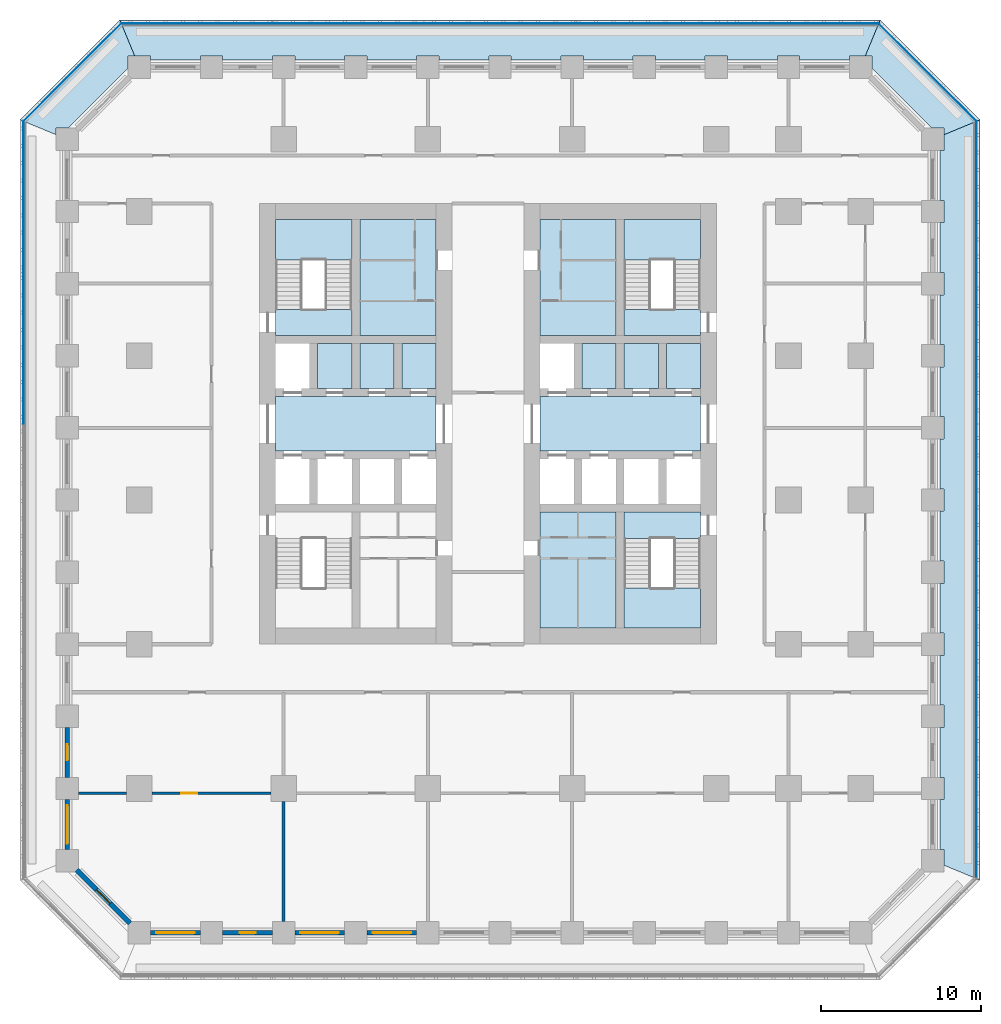
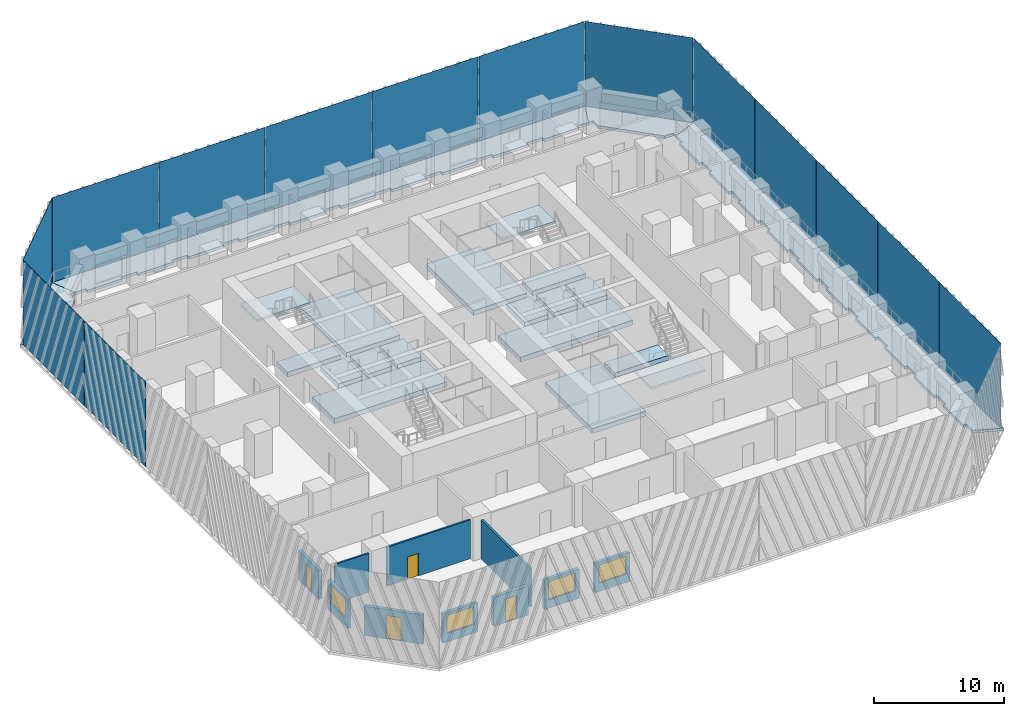
# One storey, part 2 of 14: 21 slabs, 14 plates, 10 walls, 4 doors, 4 windows, 8 openings, 3 elements without a shape of their own.
"""IFC4 building model written with IfcOpenShell, lengths in metres."""

from ifc_helpers import new_model, si_unit, direction, frame, frame_2d, origin, origin_2d, place, context, subcontext, project, spatial, polyline, rectangle, outline, extrude, material, layer, layer_set, type_object, element, fill, aggregate, save


model = new_model("IFC4")

# Units and contexts
model_context = context("Model", 3, precision=1e-05, world=origin(), true_north=direction((0.0, 1.0)))
body_context = subcontext(model_context, "Body", "Model", "MODEL_VIEW")
ifc_project = project(units=[si_unit("LENGTHUNIT", "METRE"), si_unit("AREAUNIT", "SQUARE_METRE"), si_unit("VOLUMEUNIT", "CUBIC_METRE"), si_unit("PLANEANGLEUNIT", "RADIAN"), si_unit("MASSUNIT", "GRAM", prefix="KILO")], contexts=[model_context])

# Site, building, storey
site_placement = place(None, origin())
site = spatial("IfcSite", under=ifc_project, at=site_placement, CompositionType="ELEMENT")
building_placement = place(site_placement, origin())
building = spatial("IfcBuilding", under=site, at=building_placement, Name="Corbel Stack Research Tower", CompositionType="ELEMENT")
storey_placement = place(building_placement, frame((0.0, 0.0, 58.300048828125)))
storey = spatial("IfcBuildingStorey", under=building, at=storey_placement, Name="L13", CompositionType="ELEMENT", Elevation=58.300048828125)

# Plates
ifc_material_1 = material(Name="Fritted glass", Category="glass")
ifc_layer_1 = layer(ifc_material_1, 0.02490234375)
ifc_layer_set_1 = layer_set([ifc_layer_1], Name="Fritted glass")
plate_type = type_object("IfcPlateType", Name="Fritted glass panel 25", PredefinedType="SHEET", material=ifc_layer_set_1)
for number, where, z_axis, x_axis, name in (
    (1, (34.237548828125, -18.911376953125, 0.0), (0.0, 0.0, 1.0), (0.0, 1.0, 0.0), "Fritted glass L13 E1"),
    (2, (34.237548828125, -9.45556640625, 0.0), (0.0, 0.0, 1.0), (0.0, 1.0, 0.0), "Fritted glass L13 E2"),
    (3, (34.237548828125, 0.0, 0.0), (0.0, 0.0, 1.0), (0.0, 1.0, 0.0), "Fritted glass L13 E3"),
    (4, (34.237548828125, 9.45556640625, 0.0), (0.0, 0.0, 1.0), (0.0, 1.0, 0.0), "Fritted glass L13 E4"),
    (5, (34.237548828125, 18.911376953125, 0.0), (0.0, 0.0, 1.0), (0.0, 1.0, 0.0), "Fritted glass L13 E5"),
):
    element("IfcPlate", number, at=place(storey_placement, frame(where, z_axis=z_axis, x_axis=x_axis)), inside=storey, type_object=plate_type, Name=name, PredefinedType="SHEET", context=body_context, shape_type="SweptSolid", body=[
        extrude(rectangle(XDim=9.3955078125, YDim=0.02490234375, at=origin_2d()), origin(), (0.0, 0.0, 1.0), 7.949951171875),
    ])
plate_1_placement = place(storey_placement, frame((31.185791015625, 26.685791015625, 0.0), z_axis=(0.0, 0.0, 1.0), x_axis=(-0.707106781187, 0.707106781187, 0.0)))
element("IfcPlate", 6, at=plate_1_placement, inside=storey, type_object=plate_type, Name="Fritted glass L13 NE1", PredefinedType="SHEET", context=body_context, shape_type="SweptSolid", body=[
    extrude(rectangle(XDim=8.58203125, YDim=0.02490234375, at=origin_2d()), origin(), (0.0, 0.0, 1.0), 7.949951171875),
])
for number, where, z_axis, x_axis, name in (
    (7, (23.411376953125, 29.737548828125, 0.0), (0.0, 0.0, 1.0), (-1.0, 0.0, 0.0), "Fritted glass L13 N1"),
    (8, (13.95556640625, 29.737548828125, 0.0), (0.0, 0.0, 1.0), (-1.0, 0.0, 0.0), "Fritted glass L13 N2"),
    (9, (4.5, 29.737548828125, 0.0), (0.0, 0.0, 1.0), (-1.0, 0.0, 0.0), "Fritted glass L13 N3"),
    (10, (-4.95556640625, 29.737548828125, 0.0), (0.0, 0.0, 1.0), (-1.0, 0.0, 0.0), "Fritted glass L13 N4"),
    (11, (-14.411376953125, 29.737548828125, 0.0), (0.0, 0.0, 1.0), (-1.0, 0.0, 0.0), "Fritted glass L13 N5"),
):
    element("IfcPlate", number, at=place(storey_placement, frame(where, z_axis=z_axis, x_axis=x_axis)), inside=storey, type_object=plate_type, Name=name, PredefinedType="SHEET", context=body_context, shape_type="SweptSolid", body=[
        extrude(rectangle(XDim=9.3955078125, YDim=0.02490234375, at=origin_2d()), origin(), (0.0, 0.0, 1.0), 7.949951171875),
    ])
plate_2_placement = place(storey_placement, frame((-22.185791015625, 26.685791015625, 0.0), z_axis=(0.0, 0.0, 1.0), x_axis=(-0.707106781187, -0.707106781187, 0.0)))
element("IfcPlate", 12, at=plate_2_placement, inside=storey, type_object=plate_type, Name="Fritted glass L13 NW1", PredefinedType="SHEET", context=body_context, shape_type="SweptSolid", body=[
    extrude(rectangle(XDim=8.58203125, YDim=0.02490234375, at=origin_2d()), origin(), (0.0, 0.0, 1.0), 7.949951171875),
])
for number, where, z_axis, x_axis, name in (
    (13, (-25.237548828125, 18.911376953125, 0.0), (0.0, 0.0, 1.0), (0.0, -1.0, 0.0), "Fritted glass L13 W1"),
    (14, (-25.237548828125, 9.45556640625, 0.0), (0.0, 0.0, 1.0), (0.0, -1.0, 0.0), "Fritted glass L13 W2"),
):
    element("IfcPlate", number, at=place(storey_placement, frame(where, z_axis=z_axis, x_axis=x_axis)), inside=storey, type_object=plate_type, Name=name, PredefinedType="SHEET", context=body_context, shape_type="SweptSolid", body=[
        extrude(rectangle(XDim=9.3955078125, YDim=0.02490234375, at=origin_2d()), origin(), (0.0, 0.0, 1.0), 7.949951171875),
    ])

# Slabs
ifc_material_2 = material(Name="Concrete C45/55", Category="concrete")
ifc_layer_2 = layer(ifc_material_2, 0.25)
ifc_layer_set_2 = layer_set([ifc_layer_2], Name="Concrete C45/55")
slab_type_1 = type_object("IfcSlabType", Name="PT balcony slab 250 C45/55", PredefinedType="FLOOR", material=ifc_layer_set_2)
slab_1_placement = place(storey_placement, frame((0.0, 0.0, -0.25)))
element("IfcSlab", 15, at=slab_1_placement, inside=storey, type_object=slab_type_1, Name="Loggia slab L13 E", PredefinedType="FLOOR", context=body_context, shape_type="SweptSolid", body=[
    extrude(outline(polyline([(32.199951171875, 22.789794921875), (32.199951171875, 21.800048828125), (31.949951171875, 21.800048828125), (31.949951171875, 18.699951171875), (32.199951171875, 18.699951171875), (32.199951171875, 17.300048828125), (31.949951171875, 17.300048828125), (31.949951171875, 14.199951171875), (32.199951171875, 14.199951171875), (32.199951171875, 12.800048828125), (31.949951171875, 12.800048828125), (31.949951171875, 9.699951171875), (32.199951171875, 9.699951171875), (32.199951171875, 8.300048828125), (31.949951171875, 8.300048828125), (31.949951171875, 5.199951171875), (32.199951171875, 5.199951171875), (32.199951171875, 3.800048828125), (31.949951171875, 3.800048828125), (31.949951171875, 0.699951171875), (32.199951171875, 0.699951171875), (32.199951171875, -0.699951171875), (31.949951171875, -0.699951171875), (31.949951171875, -3.800048828125), (32.199951171875, -3.800048828125), (32.199951171875, -5.199951171875), (31.949951171875, -5.199951171875), (31.949951171875, -8.300048828125), (32.199951171875, -8.300048828125), (32.199951171875, -9.699951171875), (31.949951171875, -9.699951171875), (31.949951171875, -12.800048828125), (32.199951171875, -12.800048828125), (32.199951171875, -14.199951171875), (31.949951171875, -14.199951171875), (31.949951171875, -17.300048828125), (32.199951171875, -17.300048828125), (32.199951171875, -18.699951171875), (31.949951171875, -18.699951171875), (31.949951171875, -21.800048828125), (32.199951171875, -21.800048828125), (32.199951171875, -22.789794921875), (34.449951171875, -23.721923828125), (34.449951171875, 23.721923828125), (32.199951171875, 22.789794921875)])), origin(), (0.0, 0.0, 1.0), 0.25),
])
slab_2_placement = place(storey_placement, frame((0.0, 0.0, -0.25)))
element("IfcSlab", 16, at=slab_2_placement, inside=storey, type_object=slab_type_1, Name="Loggia slab L13 NE", PredefinedType="FLOOR", context=body_context, shape_type="SweptSolid", body=[
    extrude(outline(polyline([(27.289794921875, 27.699951171875), (27.699951171875, 27.699951171875), (27.699951171875, 26.936279296875), (31.436279296875, 23.199951171875), (32.199951171875, 23.199951171875), (32.199951171875, 22.789794921875), (34.449951171875, 23.721923828125), (28.221923828125, 29.949951171875), (27.289794921875, 27.699951171875)])), origin(), (0.0, 0.0, 1.0), 0.25),
])
slab_3_placement = place(storey_placement, frame((0.0, 0.0, -0.25)))
element("IfcSlab", 17, at=slab_3_placement, inside=storey, type_object=slab_type_1, Name="Loggia slab L13 N", PredefinedType="FLOOR", context=body_context, shape_type="SweptSolid", body=[
    extrude(outline(polyline([(-18.289794921875, 27.699951171875), (-17.300048828125, 27.699951171875), (-17.300048828125, 27.449951171875), (-14.199951171875, 27.449951171875), (-14.199951171875, 27.699951171875), (-12.800048828125, 27.699951171875), (-12.800048828125, 27.449951171875), (-9.699951171875, 27.449951171875), (-9.699951171875, 27.699951171875), (-8.300048828125, 27.699951171875), (-8.300048828125, 27.449951171875), (-5.199951171875, 27.449951171875), (-5.199951171875, 27.699951171875), (-3.800048828125, 27.699951171875), (-3.800048828125, 27.449951171875), (-0.699951171875, 27.449951171875), (-0.699951171875, 27.699951171875), (0.699951171875, 27.699951171875), (0.699951171875, 27.449951171875), (3.800048828125, 27.449951171875), (3.800048828125, 27.699951171875), (5.199951171875, 27.699951171875), (5.199951171875, 27.449951171875), (8.300048828125, 27.449951171875), (8.300048828125, 27.699951171875), (9.699951171875, 27.699951171875), (9.699951171875, 27.449951171875), (12.800048828125, 27.449951171875), (12.800048828125, 27.699951171875), (14.199951171875, 27.699951171875), (14.199951171875, 27.449951171875), (17.300048828125, 27.449951171875), (17.300048828125, 27.699951171875), (18.699951171875, 27.699951171875), (18.699951171875, 27.449951171875), (21.800048828125, 27.449951171875), (21.800048828125, 27.699951171875), (23.199951171875, 27.699951171875), (23.199951171875, 27.449951171875), (26.300048828125, 27.449951171875), (26.300048828125, 27.699951171875), (27.289794921875, 27.699951171875), (28.221923828125, 29.949951171875), (-19.221923828125, 29.949951171875), (-18.289794921875, 27.699951171875)])), origin(), (0.0, 0.0, 1.0), 0.25),
])
slab_4_placement = place(storey_placement, frame((0.0, 0.0, -0.25)))
element("IfcSlab", 18, at=slab_4_placement, inside=storey, type_object=slab_type_1, Name="Loggia slab L13 NW", PredefinedType="FLOOR", context=body_context, shape_type="SweptSolid", body=[
    extrude(outline(polyline([(-23.199951171875, 22.789794921875), (-23.199951171875, 23.199951171875), (-22.436279296875, 23.199951171875), (-18.699951171875, 26.936279296875), (-18.699951171875, 27.699951171875), (-18.289794921875, 27.699951171875), (-19.221923828125, 29.949951171875), (-25.449951171875, 23.721923828125), (-23.199951171875, 22.789794921875)])), origin(), (0.0, 0.0, 1.0), 0.25),
])
ifc_material_3 = material(Name="Concrete C45/55", Category="concrete")
ifc_layer_3 = layer(ifc_material_3, 0.449951171875)
ifc_layer_set_3 = layer_set([ifc_layer_3], Name="Concrete C45/55")
slab_type_2 = type_object("IfcSlabType", Name="PT-450", PredefinedType="FLOOR", material=ifc_layer_set_3)
slab_5_placement = place(storey_placement, frame((0.0, 0.0, -0.449951171875)))
element("IfcSlab", 19, at=slab_5_placement, inside=storey, type_object=slab_type_2, Name="West core floor L13", PredefinedType="FLOOR", context=body_context, shape_type="SweptSolid", body=[
    extrude(outline(polyline([(-9.5, 6.449951171875), (-9.5, 3.050048828125), (0.5, 3.050048828125), (0.5, 6.449951171875), (-9.5, 6.449951171875)])), origin(), (0.0, 0.0, 1.0), 0.449951171875),
])
slab_6_placement = place(storey_placement, frame((0.0, 0.0, -0.449951171875)))
element("IfcSlab", 20, at=slab_6_placement, inside=storey, type_object=slab_type_2, Name="West core floor L13", PredefinedType="FLOOR", context=body_context, shape_type="SweptSolid", body=[
    extrude(outline(polyline([(-6.875, 6.949951171875), (-4.75, 6.949951171875), (-4.75, 9.75), (-6.875, 9.75), (-6.875, 6.949951171875)])), origin(), (0.0, 0.0, 1.0), 0.449951171875),
])
slab_7_placement = place(storey_placement, frame((0.0, 0.0, -0.449951171875)))
element("IfcSlab", 21, at=slab_7_placement, inside=storey, type_object=slab_type_2, Name="West core floor L13", PredefinedType="FLOOR", context=body_context, shape_type="SweptSolid", body=[
    extrude(outline(polyline([(-2.125, 6.949951171875), (-2.125, 9.75), (-4.25, 9.75), (-4.25, 6.949951171875), (-2.125, 6.949951171875)])), origin(), (0.0, 0.0, 1.0), 0.449951171875),
])
slab_8_placement = place(storey_placement, frame((0.0, 0.0, -0.449951171875)))
element("IfcSlab", 22, at=slab_8_placement, inside=storey, type_object=slab_type_2, Name="West core floor L13", PredefinedType="FLOOR", context=body_context, shape_type="SweptSolid", body=[
    extrude(outline(polyline([(-4.25, 17.5), (-4.25, 10.25), (0.5, 10.25), (0.5, 17.5), (-4.25, 17.5)])), origin(), (0.0, 0.0, 1.0), 0.449951171875),
])
slab_9_placement = place(storey_placement, frame((0.0, 0.0, -0.449951171875)))
element("IfcSlab", 23, at=slab_9_placement, inside=storey, type_object=slab_type_2, Name="West core floor L13", PredefinedType="FLOOR", context=body_context, shape_type="SweptSolid", body=[
    extrude(outline(polyline([(0.5, 6.949951171875), (0.5, 9.75), (-1.625, 9.75), (-1.625, 6.949951171875), (0.5, 6.949951171875)])), origin(), (0.0, 0.0, 1.0), 0.449951171875),
])
slab_10_placement = place(storey_placement, frame((0.0, 0.0, -0.449951171875)))
element("IfcSlab", 24, at=slab_10_placement, inside=storey, type_object=slab_type_2, Name="East core floor L13", PredefinedType="FLOOR", context=body_context, shape_type="SweptSolid", body=[
    extrude(outline(polyline([(7.0, -0.75), (7.0, -8.0), (11.75, -8.0), (11.75, -0.75), (7.0, -0.75)])), origin(), (0.0, 0.0, 1.0), 0.449951171875),
])
slab_11_placement = place(storey_placement, frame((0.0, 0.0, -0.449951171875)))
element("IfcSlab", 25, at=slab_11_placement, inside=storey, type_object=slab_type_2, Name="East core floor L13", PredefinedType="FLOOR", context=body_context, shape_type="SweptSolid", body=[
    extrude(outline(polyline([(7.0, 6.449951171875), (7.0, 3.050048828125), (17.0, 3.050048828125), (17.0, 6.449951171875), (7.0, 6.449951171875)])), origin(), (0.0, 0.0, 1.0), 0.449951171875),
])
slab_12_placement = place(storey_placement, frame((0.0, 0.0, -0.449951171875)))
element("IfcSlab", 26, at=slab_12_placement, inside=storey, type_object=slab_type_2, Name="East core floor L13", PredefinedType="FLOOR", context=body_context, shape_type="SweptSolid", body=[
    extrude(outline(polyline([(7.0, 17.5), (7.0, 10.25), (11.75, 10.25), (11.75, 17.5), (7.0, 17.5)])), origin(), (0.0, 0.0, 1.0), 0.449951171875),
])
slab_13_placement = place(storey_placement, frame((0.0, 0.0, -0.449951171875)))
element("IfcSlab", 27, at=slab_13_placement, inside=storey, type_object=slab_type_2, Name="East core floor L13", PredefinedType="FLOOR", context=body_context, shape_type="SweptSolid", body=[
    extrude(outline(polyline([(9.625, 6.949951171875), (11.75, 6.949951171875), (11.75, 9.75), (9.625, 9.75), (9.625, 6.949951171875)])), origin(), (0.0, 0.0, 1.0), 0.449951171875),
])
slab_14_placement = place(storey_placement, frame((0.0, 0.0, -0.449951171875)))
element("IfcSlab", 28, at=slab_14_placement, inside=storey, type_object=slab_type_2, Name="East core floor L13", PredefinedType="FLOOR", context=body_context, shape_type="SweptSolid", body=[
    extrude(outline(polyline([(14.375, 6.949951171875), (14.375, 9.75), (12.25, 9.75), (12.25, 6.949951171875), (14.375, 6.949951171875)])), origin(), (0.0, 0.0, 1.0), 0.449951171875),
])
slab_15_placement = place(storey_placement, frame((0.0, 0.0, -0.449951171875)))
element("IfcSlab", 29, at=slab_15_placement, inside=storey, type_object=slab_type_2, Name="East core floor L13", PredefinedType="FLOOR", context=body_context, shape_type="SweptSolid", body=[
    extrude(outline(polyline([(17.0, 6.949951171875), (17.0, 9.75), (14.875, 9.75), (14.875, 6.949951171875), (17.0, 6.949951171875)])), origin(), (0.0, 0.0, 1.0), 0.449951171875),
])
slab_16_placement = place(storey_placement, frame((0.0, 0.0, -0.449951171875)))
element("IfcSlab", 30, at=slab_16_placement, inside=storey, type_object=slab_type_2, Name="Stair floor landing ST-W2", PredefinedType="FLOOR", context=body_context, shape_type="SweptSolid", body=[
    extrude(outline(polyline([(-9.5, 10.25), (-4.75, 10.25), (-4.75, 11.89990234375), (-9.5, 11.89990234375), (-9.5, 10.25)])), origin(), (0.0, 0.0, 1.0), 0.449951171875),
])
slab_17_placement = place(storey_placement, frame((0.0, 0.0, -0.449951171875)))
element("IfcSlab", 31, at=slab_17_placement, inside=storey, type_object=slab_type_2, Name="Stair floor landing ST-E1", PredefinedType="FLOOR", context=body_context, shape_type="SweptSolid", body=[
    extrude(outline(polyline([(12.25, -2.39990234375), (17.0, -2.39990234375), (17.0, -0.75), (12.25, -0.75), (12.25, -2.39990234375)])), origin(), (0.0, 0.0, 1.0), 0.449951171875),
])
slab_18_placement = place(storey_placement, frame((0.0, 0.0, -0.449951171875)))
element("IfcSlab", 32, at=slab_18_placement, inside=storey, type_object=slab_type_2, Name="Stair floor landing ST-E2", PredefinedType="FLOOR", context=body_context, shape_type="SweptSolid", body=[
    extrude(outline(polyline([(12.25, 10.25), (17.0, 10.25), (17.0, 11.89990234375), (12.25, 11.89990234375), (12.25, 10.25)])), origin(), (0.0, 0.0, 1.0), 0.449951171875),
])

# Stair, slab
ifc_material_4 = material(Name="Concrete C40/50", Category="concrete")
stair_type = type_object("IfcStairType", Name="Exit stair 24 risers", PredefinedType="HALF_TURN_STAIR", material=ifc_material_4)
stair_1_placement = place(storey_placement, origin())
stair_1 = element("IfcStair", 33, at=stair_1_placement, inside=storey, type_object=stair_type, Name="L13 Exit stair ST-W2", PredefinedType="HALF_TURN_STAIR")
ifc_material_5 = material(Name="Concrete C40/50", Category="concrete")
ifc_layer_4 = layer(ifc_material_5, 0.199951171875)
ifc_layer_set_4 = layer_set([ifc_layer_4], Name="Concrete C40/50")
slab_type_3 = type_object("IfcSlabType", Name="Stair landing 200 C40/50", PredefinedType="LANDING", material=ifc_layer_set_4)
slab_19_placement = place(storey_placement, frame((0.0, 0.0, 1.849853515625)))
slab_19 = element("IfcSlab", 34, at=slab_19_placement, type_object=slab_type_3, Name="ST-W2 landing 1", PredefinedType="LANDING", context=body_context, shape_type="SweptSolid", body=[
    extrude(outline(polyline([(-9.5, 14.97998046875), (-9.5, 17.5), (-4.75, 17.5), (-4.75, 14.97998046875), (-9.5, 14.97998046875)])), origin(), (0.0, 0.0, 1.0), 0.2001953125),
])
aggregate(stair_1, [slab_19])

stair_2_placement = place(storey_placement, origin())
stair_2 = element("IfcStair", 35, at=stair_2_placement, inside=storey, type_object=stair_type, Name="L13 Exit stair ST-E1", PredefinedType="HALF_TURN_STAIR")
slab_20_placement = place(storey_placement, frame((0.0, 0.0, 1.849853515625)))
slab_20 = element("IfcSlab", 36, at=slab_20_placement, type_object=slab_type_3, Name="ST-E1 landing 1", PredefinedType="LANDING", context=body_context, shape_type="SweptSolid", body=[
    extrude(outline(polyline([(12.25, -8.0), (12.25, -5.47998046875), (17.0, -5.47998046875), (17.0, -8.0), (12.25, -8.0)])), origin(), (0.0, 0.0, 1.0), 0.2001953125),
])
aggregate(stair_2, [slab_20])

stair_3_placement = place(storey_placement, origin())
stair_3 = element("IfcStair", 37, at=stair_3_placement, inside=storey, type_object=stair_type, Name="L13 Exit stair ST-E2", PredefinedType="HALF_TURN_STAIR")
slab_21_placement = place(storey_placement, frame((0.0, 0.0, 1.849853515625)))
slab_21 = element("IfcSlab", 38, at=slab_21_placement, type_object=slab_type_3, Name="ST-E2 landing 1", PredefinedType="LANDING", context=body_context, shape_type="SweptSolid", body=[
    extrude(outline(polyline([(12.25, 14.97998046875), (12.25, 17.5), (17.0, 17.5), (17.0, 14.97998046875), (12.25, 14.97998046875)])), origin(), (0.0, 0.0, 1.0), 0.2001953125),
])
aggregate(stair_3, [slab_21])

# Walls
ifc_material_6 = material(Name="Fire-rated gypsum board partition on steel studs", Category="steel")
ifc_layer_5 = layer(ifc_material_6, 0.199951171875)
ifc_layer_set_5 = layer_set([ifc_layer_5], Name="Fire-rated gypsum board partition on steel studs")
wall_type_1 = type_object("IfcWallType", Name="Fire-rated partition 200 EI 60", PredefinedType="PARTITIONING", material=ifc_layer_set_5)
wall_1_placement = place(storey_placement, frame((-9.0, -26.300048828125, 0.0), z_axis=(0.0, 0.0, 1.0), x_axis=(0.0, 1.0, 0.0)))
element("IfcWall", 39, at=wall_1_placement, inside=storey, type_object=wall_type_1, Name="Partition L13-002", PredefinedType="PARTITIONING", context=body_context, shape_type="SweptSolid", body=[
    extrude(rectangle(XDim=7.5, YDim=0.199951171875, at=frame_2d((3.75, 0.0))), origin(), (0.0, 0.0, 1.0), 3.64990234375),
])
ifc_material_7 = material(Name="Gypsum board partition on steel studs", Category="steel")
ifc_layer_6 = layer(ifc_material_7, 0.14990234375)
ifc_layer_set_6 = layer_set([ifc_layer_6], Name="Gypsum board partition on steel studs")
wall_type_2 = type_object("IfcWallType", Name="Partition 150", PredefinedType="PARTITIONING", material=ifc_layer_set_6)
wall_2_placement = place(storey_placement, frame((-21.800048828125, -18.300048828125, 0.0), z_axis=(0.0, 0.0, 1.0), x_axis=(1.0, 0.0, 0.0)))
element("IfcWall", 40, at=wall_2_placement, inside=storey, type_object=wall_type_2, Name="Partition L13-018", PredefinedType="PARTITIONING", context=body_context, shape_type="SweptSolid", body=[
    extrude(rectangle(XDim=3.0, YDim=0.14990234375, at=frame_2d((1.5, 0.0))), origin(), (0.0, 0.0, 1.0), 3.64990234375),
])

# Wall, opening, door
wall_3_placement = place(storey_placement, frame((-9.800048828125, -18.300048828125, 0.0), z_axis=(0.0, 0.0, 1.0), x_axis=(-1.0, 0.0, 0.0)))
wall_3 = element("IfcWall", 41, at=wall_3_placement, inside=storey, type_object=wall_type_2, Name="Partition L13-019", PredefinedType="PARTITIONING", context=body_context, shape_type="SweptSolid", body=[
    extrude(rectangle(XDim=7.39990234375, YDim=0.14990234375, at=frame_2d((3.699951171875, 0.0))), origin(), (0.0, 0.0, 1.0), 3.64990234375),
])
opening_1_placement = place(wall_3_placement, frame((4.60009765625, 0.0, 0.0)))
opening_1 = element("IfcOpeningElement", 42, at=opening_1_placement, cuts=wall_3, Name="Opening B2V2-001", PredefinedType="OPENING", context=body_context, shape_type="SweptSolid", body=[
    extrude(rectangle(XDim=1.0, YDim=2.10009765625, at=frame_2d((0.5, 1.050048828125))), frame((0.0, 0.0849609375, 0.0), z_axis=(0.0, -1.0, 0.0), x_axis=(1.0, 0.0, 0.0)), (0.0, 0.0, 1.0), 0.169921875),
])
ifc_material_8 = material(Name="Painted timber door", Category="wood")
door_type_1 = type_object("IfcDoorType", Name="Single door 1000 x 2100", OperationType="NOTDEFINED", PredefinedType="DOOR", material=ifc_material_8)
door_1_placement = place(opening_1_placement, origin())
door_1 = element("IfcDoor", 43, at=door_1_placement, inside=storey, type_object=door_type_1, Name="Door B2V2-001", OperationType="SINGLE_SWING_RIGHT", OverallHeight=2.10009765625, OverallWidth=1.0, PredefinedType="DOOR", context=body_context, shape_type="SweptSolid", body=[
    extrude(rectangle(XDim=1.0, YDim=2.10009765625, at=frame_2d((0.5, 1.050048828125))), frame((0.0, 0.02490234375, 0.0), z_axis=(0.0, -1.0, 0.0), x_axis=(1.0, 0.0, 0.0)), (0.0, 0.0, 1.0), 0.050048828125),
])
fill(opening_1, door_1)

# Wall, opening, window
ifc_material_9 = material(Name="Concrete C45/55", Category="concrete")
ifc_layer_7 = layer(ifc_material_9, 0.300048828125)
ifc_layer_set_7 = layer_set([ifc_layer_7], Name="Concrete C45/55")
wall_type_3 = type_object("IfcWallType", Name="Terracotta-faced concrete wall 300", PredefinedType="SOLIDWALL", material=ifc_layer_set_7)
wall_4_placement = place(storey_placement, frame((-14.199951171875, -27.0, 0.0), z_axis=(0.0, 0.0, 1.0), x_axis=(-1.0, 0.0, 0.0)))
wall_4 = element("IfcWall", 44, at=wall_4_placement, inside=storey, type_object=wall_type_3, Name="Facade wall L13 S01", PredefinedType="SOLIDWALL", context=body_context, shape_type="SweptSolid", body=[
    extrude(rectangle(XDim=3.10009765625, YDim=0.300048828125, at=frame_2d((1.550048828125, 0.0))), origin(), (0.0, 0.0, 1.0), 2.75),
])
opening_2_placement = place(wall_4_placement, frame((0.35009765625, 0.0, 0.800048828125)))
opening_2 = element("IfcOpeningElement", 45, at=opening_2_placement, cuts=wall_4, Name="Opening W1", PredefinedType="OPENING", context=body_context, shape_type="SweptSolid", body=[
    extrude(rectangle(XDim=2.39990234375, YDim=1.699951171875, at=frame_2d((1.199951171875, 0.85009765625))), frame((0.0, 0.159912109375, 0.0), z_axis=(0.0, -1.0, 0.0), x_axis=(1.0, 0.0, 0.0)), (0.0, 0.0, 1.0), 0.320068359375),
])
ifc_material_10 = material(Name="Aluminium frame, clear double glazing", Category="aluminium")
window_type = type_object("IfcWindowType", Name="Window W1 2400 x 1700", PartitioningType="SINGLE_PANEL", PredefinedType="WINDOW", material=ifc_material_10)
window_1_placement = place(opening_2_placement, origin())
window_1 = element("IfcWindow", 46, at=window_1_placement, inside=storey, type_object=window_type, Name="Window W1 L13 S01", OverallHeight=1.699951171875, OverallWidth=2.39990234375, PartitioningType="SINGLE_PANEL", PredefinedType="WINDOW", context=body_context, shape_type="SweptSolid", body=[
    extrude(rectangle(XDim=2.39990234375, YDim=1.699951171875, at=frame_2d((1.199951171875, 0.85009765625))), frame((0.0, 0.030029296875, 0.0), z_axis=(0.0, -1.0, 0.0), x_axis=(1.0, 0.0, 0.0)), (0.0, 0.0, 1.0), 0.06005859375),
])
fill(opening_2, window_1)

# Wall, opening, door
wall_5_placement = place(storey_placement, frame((-9.699951171875, -27.0, 0.0), z_axis=(0.0, 0.0, 1.0), x_axis=(-1.0, 0.0, 0.0)))
wall_5 = element("IfcWall", 47, at=wall_5_placement, inside=storey, type_object=wall_type_3, Name="Facade wall L13 S02", PredefinedType="SOLIDWALL", context=body_context, shape_type="SweptSolid", body=[
    extrude(rectangle(XDim=3.10009765625, YDim=0.300048828125, at=frame_2d((1.550048828125, 0.0))), origin(), (0.0, 0.0, 1.0), 2.75),
])
opening_3_placement = place(wall_5_placement, frame((1.050048828125, 0.0, 0.0)))
opening_3 = element("IfcOpeningElement", 48, at=opening_3_placement, cuts=wall_5, Name="Opening L13-B01", PredefinedType="OPENING", context=body_context, shape_type="SweptSolid", body=[
    extrude(rectangle(XDim=1.0, YDim=2.199951171875, at=frame_2d((0.5, 1.10009765625))), frame((0.0, 0.159912109375, 0.0), z_axis=(0.0, -1.0, 0.0), x_axis=(1.0, 0.0, 0.0)), (0.0, 0.0, 1.0), 0.320068359375),
])
ifc_material_11 = material(Name="Aluminium frame, clear double glazing", Category="aluminium")
door_type_2 = type_object("IfcDoorType", Name="Balcony door BD1 1000 x 2200", OperationType="NOTDEFINED", PredefinedType="DOOR", material=ifc_material_11)
door_2_placement = place(opening_3_placement, origin())
door_2 = element("IfcDoor", 49, at=door_2_placement, inside=storey, type_object=door_type_2, Name="Balcony door L13-B01", OperationType="SINGLE_SWING_LEFT", OverallHeight=2.199951171875, OverallWidth=1.0, PredefinedType="DOOR", context=body_context, shape_type="SweptSolid", body=[
    extrude(rectangle(XDim=1.0, YDim=2.199951171875, at=frame_2d((0.5, 1.10009765625))), frame((0.0, 0.02490234375, 0.0), z_axis=(0.0, -1.0, 0.0), x_axis=(1.0, 0.0, 0.0)), (0.0, 0.0, 1.0), 0.050048828125),
])
fill(opening_3, door_2)

# Wall, opening, window
wall_6_placement = place(storey_placement, frame((-5.199951171875, -27.0, 0.0), z_axis=(0.0, 0.0, 1.0), x_axis=(-1.0, 0.0, 0.0)))
wall_6 = element("IfcWall", 50, at=wall_6_placement, inside=storey, type_object=wall_type_3, Name="Facade wall L13 S03", PredefinedType="SOLIDWALL", context=body_context, shape_type="SweptSolid", body=[
    extrude(rectangle(XDim=3.10009765625, YDim=0.300048828125, at=frame_2d((1.550048828125, 0.0))), origin(), (0.0, 0.0, 1.0), 2.75),
])
opening_4_placement = place(wall_6_placement, frame((0.35009765625, 0.0, 0.800048828125)))
opening_4 = element("IfcOpeningElement", 51, at=opening_4_placement, cuts=wall_6, Name="Opening W1", PredefinedType="OPENING", context=body_context, shape_type="SweptSolid", body=[
    extrude(rectangle(XDim=2.39990234375, YDim=1.699951171875, at=frame_2d((1.199951171875, 0.85009765625))), frame((0.0, 0.159912109375, 0.0), z_axis=(0.0, -1.0, 0.0), x_axis=(1.0, 0.0, 0.0)), (0.0, 0.0, 1.0), 0.320068359375),
])
window_2_placement = place(opening_4_placement, origin())
window_2 = element("IfcWindow", 52, at=window_2_placement, inside=storey, type_object=window_type, Name="Window W1 L13 S03", OverallHeight=1.699951171875, OverallWidth=2.39990234375, PartitioningType="SINGLE_PANEL", PredefinedType="WINDOW", context=body_context, shape_type="SweptSolid", body=[
    extrude(rectangle(XDim=2.39990234375, YDim=1.699951171875, at=frame_2d((1.199951171875, 0.85009765625))), frame((0.0, 0.030029296875, 0.0), z_axis=(0.0, -1.0, 0.0), x_axis=(1.0, 0.0, 0.0)), (0.0, 0.0, 1.0), 0.06005859375),
])
fill(opening_4, window_2)

wall_7_placement = place(storey_placement, frame((-0.699951171875, -27.0, 0.0), z_axis=(0.0, 0.0, 1.0), x_axis=(-1.0, 0.0, 0.0)))
wall_7 = element("IfcWall", 53, at=wall_7_placement, inside=storey, type_object=wall_type_3, Name="Facade wall L13 S04", PredefinedType="SOLIDWALL", context=body_context, shape_type="SweptSolid", body=[
    extrude(rectangle(XDim=3.10009765625, YDim=0.300048828125, at=frame_2d((1.550048828125, 0.0))), origin(), (0.0, 0.0, 1.0), 2.75),
])
opening_5_placement = place(wall_7_placement, frame((0.35009765625, 0.0, 0.800048828125)))
opening_5 = element("IfcOpeningElement", 54, at=opening_5_placement, cuts=wall_7, Name="Opening W1", PredefinedType="OPENING", context=body_context, shape_type="SweptSolid", body=[
    extrude(rectangle(XDim=2.39990234375, YDim=1.699951171875, at=frame_2d((1.199951171875, 0.85009765625))), frame((0.0, 0.159912109375, 0.0), z_axis=(0.0, -1.0, 0.0), x_axis=(1.0, 0.0, 0.0)), (0.0, 0.0, 1.0), 0.320068359375),
])
window_3_placement = place(opening_5_placement, origin())
window_3 = element("IfcWindow", 55, at=window_3_placement, inside=storey, type_object=window_type, Name="Window W1 L13 S04", OverallHeight=1.699951171875, OverallWidth=2.39990234375, PartitioningType="SINGLE_PANEL", PredefinedType="WINDOW", context=body_context, shape_type="SweptSolid", body=[
    extrude(rectangle(XDim=2.39990234375, YDim=1.699951171875, at=frame_2d((1.199951171875, 0.85009765625))), frame((0.0, 0.030029296875, 0.0), z_axis=(0.0, -1.0, 0.0), x_axis=(1.0, 0.0, 0.0)), (0.0, 0.0, 1.0), 0.06005859375),
])
fill(opening_5, window_3)

# Wall, opening, door
wall_8_placement = place(storey_placement, frame((-22.5, -17.300048828125, 0.0), z_axis=(0.0, 0.0, 1.0), x_axis=(0.0, 1.0, 0.0)))
wall_8 = element("IfcWall", 56, at=wall_8_placement, inside=storey, type_object=wall_type_3, Name="Facade wall L13 W09", PredefinedType="SOLIDWALL", context=body_context, shape_type="SweptSolid", body=[
    extrude(rectangle(XDim=3.10009765625, YDim=0.300048828125, at=frame_2d((1.550048828125, 0.0))), origin(), (0.0, 0.0, 1.0), 2.75),
])
opening_6_placement = place(wall_8_placement, frame((1.050048828125, 0.0, 0.0)))
opening_6 = element("IfcOpeningElement", 57, at=opening_6_placement, cuts=wall_8, Name="Opening L13-B11", PredefinedType="OPENING", context=body_context, shape_type="SweptSolid", body=[
    extrude(rectangle(XDim=1.0, YDim=2.199951171875, at=frame_2d((0.5, 1.10009765625))), frame((0.0, 0.159912109375, 0.0), z_axis=(0.0, -1.0, 0.0), x_axis=(1.0, 0.0, 0.0)), (0.0, 0.0, 1.0), 0.320068359375),
])
door_3_placement = place(opening_6_placement, origin())
door_3 = element("IfcDoor", 58, at=door_3_placement, inside=storey, type_object=door_type_2, Name="Balcony door L13-B11", OperationType="SINGLE_SWING_RIGHT", OverallHeight=2.199951171875, OverallWidth=1.0, PredefinedType="DOOR", context=body_context, shape_type="SweptSolid", body=[
    extrude(rectangle(XDim=1.0, YDim=2.199951171875, at=frame_2d((0.5, 1.10009765625))), frame((0.0, 0.02490234375, 0.0), z_axis=(0.0, -1.0, 0.0), x_axis=(1.0, 0.0, 0.0)), (0.0, 0.0, 1.0), 0.050048828125),
])
fill(opening_6, door_3)

# Wall, opening, window
wall_9_placement = place(storey_placement, frame((-22.5, -21.800048828125, 0.0), z_axis=(0.0, 0.0, 1.0), x_axis=(0.0, 1.0, 0.0)))
wall_9 = element("IfcWall", 59, at=wall_9_placement, inside=storey, type_object=wall_type_3, Name="Facade wall L13 W10", PredefinedType="SOLIDWALL", context=body_context, shape_type="SweptSolid", body=[
    extrude(rectangle(XDim=3.10009765625, YDim=0.300048828125, at=frame_2d((1.550048828125, 0.0))), origin(), (0.0, 0.0, 1.0), 2.75),
])
opening_7_placement = place(wall_9_placement, frame((0.35009765625, 0.0, 0.800048828125)))
opening_7 = element("IfcOpeningElement", 60, at=opening_7_placement, cuts=wall_9, Name="Opening W1", PredefinedType="OPENING", context=body_context, shape_type="SweptSolid", body=[
    extrude(rectangle(XDim=2.39990234375, YDim=1.699951171875, at=frame_2d((1.199951171875, 0.85009765625))), frame((0.0, 0.159912109375, 0.0), z_axis=(0.0, -1.0, 0.0), x_axis=(1.0, 0.0, 0.0)), (0.0, 0.0, 1.0), 0.320068359375),
])
window_4_placement = place(opening_7_placement, origin())
window_4 = element("IfcWindow", 61, at=window_4_placement, inside=storey, type_object=window_type, Name="Window W1 L13 W10", OverallHeight=1.699951171875, OverallWidth=2.39990234375, PartitioningType="SINGLE_PANEL", PredefinedType="WINDOW", context=body_context, shape_type="SweptSolid", body=[
    extrude(rectangle(XDim=2.39990234375, YDim=1.699951171875, at=frame_2d((1.199951171875, 0.85009765625))), frame((0.0, 0.030029296875, 0.0), z_axis=(0.0, -1.0, 0.0), x_axis=(1.0, 0.0, 0.0)), (0.0, 0.0, 1.0), 0.06005859375),
])
fill(opening_7, window_4)

# Wall, opening, door
wall_10_placement = place(storey_placement, frame((-18.593994140625, -26.406005859375, 0.0), z_axis=(0.0, 0.0, 1.0), x_axis=(-0.707106781187, 0.707106781187, 0.0)))
wall_10 = element("IfcWall", 62, at=wall_10_placement, inside=storey, type_object=wall_type_3, Name="Facade wall L13 SW01", PredefinedType="SOLIDWALL", context=body_context, shape_type="SweptSolid", body=[
    extrude(rectangle(XDim=4.683837890625, YDim=0.300048828125, at=frame_2d((2.341796875, 0.0))), origin(), (0.0, 0.0, 1.0), 2.75),
])
opening_8_placement = place(wall_10_placement, frame((1.741943359375, 0.0, 0.0)))
opening_8 = element("IfcOpeningElement", 63, at=opening_8_placement, cuts=wall_10, Name="Opening L13-B12", PredefinedType="OPENING", context=body_context, shape_type="SweptSolid", body=[
    extrude(rectangle(XDim=1.199951171875, YDim=2.199951171875, at=frame_2d((0.60009765625, 1.10009765625))), frame((0.0, 0.159912109375, 0.0), z_axis=(0.0, -1.0, 0.0), x_axis=(1.0, 0.0, 0.0)), (0.0, 0.0, 1.0), 0.320068359375),
])
ifc_material_12 = material(Name="Aluminium frame, clear double glazing", Category="aluminium")
door_type_3 = type_object("IfcDoorType", Name="Balcony door BD2 1200 x 2200", OperationType="NOTDEFINED", PredefinedType="DOOR", material=ifc_material_12)
door_4_placement = place(opening_8_placement, origin())
door_4 = element("IfcDoor", 64, at=door_4_placement, inside=storey, type_object=door_type_3, Name="Balcony door L13-B12", OperationType="SINGLE_SWING_RIGHT", OverallHeight=2.199951171875, OverallWidth=1.199951171875, PredefinedType="DOOR", context=body_context, shape_type="SweptSolid", body=[
    extrude(rectangle(XDim=1.199951171875, YDim=2.199951171875, at=frame_2d((0.60009765625, 1.10009765625))), frame((0.0, 0.02490234375, 0.0), z_axis=(0.0, -1.0, 0.0), x_axis=(1.0, 0.0, 0.0)), (0.0, 0.0, 1.0), 0.050048828125),
])
fill(opening_8, door_4)

save(model, "model.ifc")
